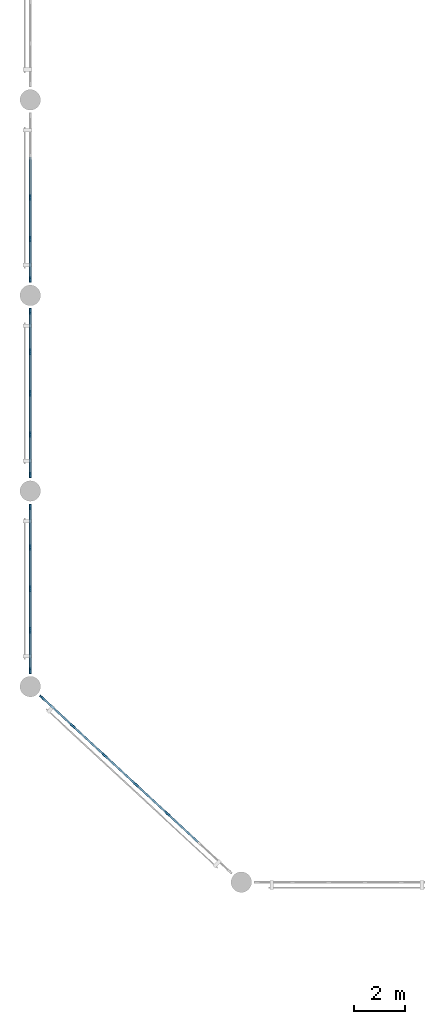
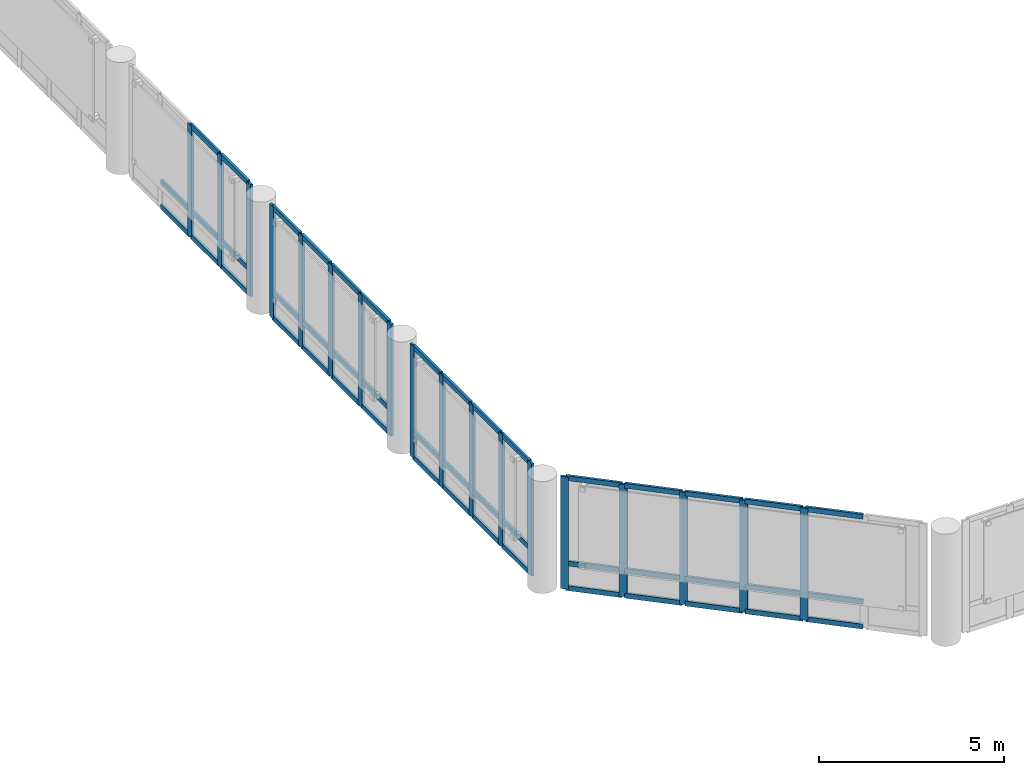
# One storey, part 5 of 49: 65 members, 4 elements without a shape of their own.
"""IFC4 building model written with IfcOpenShell, lengths in metres."""

from ifc_helpers import new_model, si_unit, direction, frame, origin, origin_2d, place, context, subcontext, project, spatial, rectangle, extrude, material, material_profile, profile_set, type_object, element, aggregate, save


model = new_model("IFC4")

# Units and contexts
model_context = context("Model", 3, precision=1e-05, world=origin(), true_north=direction((0.0, 1.0)))
body_context = subcontext(model_context, "Body", "Model", "MODEL_VIEW")
ifc_project = project(units=[si_unit("LENGTHUNIT", "METRE"), si_unit("AREAUNIT", "SQUARE_METRE"), si_unit("VOLUMEUNIT", "CUBIC_METRE"), si_unit("PLANEANGLEUNIT", "RADIAN"), si_unit("MASSUNIT", "GRAM", prefix="KILO")], contexts=[model_context])

# Site, building, storey
site_placement = place(None, origin())
site = spatial("IfcSite", under=ifc_project, at=site_placement, CompositionType="ELEMENT")
building_placement = place(site_placement, origin())
building = spatial("IfcBuilding", under=site, at=building_placement, Name="Qandaris Square Conservatory and Botanical Centre", CompositionType="ELEMENT")
storey_placement = place(building_placement, frame((0.0, 0.0, 10.199951171875)))
storey = spatial("IfcBuildingStorey", under=building, at=storey_placement, Name="L02", CompositionType="ELEMENT", Elevation=10.199951171875)

# Curtain wall, members
ifc_material = material(Name="Anodised Aluminium", Category="aluminium")
curtain_wall_type_1 = type_object("IfcCurtainWallType", Name="Unitised Curtain Wall CW-2-644x370", PredefinedType="USERDEFINED", material=ifc_material)
curtain_wall_1_placement = place(storey_placement, origin())
curtain_wall_1 = element("IfcCurtainWall", 1, at=curtain_wall_1_placement, inside=storey, type_object=curtain_wall_type_1, Name="Curtain Wall CW-CON-L02-7-5", ObjectType="GLAZED CURTAIN WALL", PredefinedType="USERDEFINED")
ifc_material_profile_1 = material_profile(ifc_material, rectangle(XDim=0.074951171875, YDim=0.219970703125, at=origin_2d()), Name="ALU-MUL 75x220")
ifc_profile_set_1 = profile_set([ifc_material_profile_1], Name="Anodised Aluminium")
member_type_1 = type_object("IfcMemberType", Name="Conservatory Heavy Mullion 75x220", PredefinedType="MULLION", material=ifc_profile_set_1)
member_1_placement = place(storey_placement, frame((16.199951171875, 73.60009765625, 0.0), z_axis=(0.0, 0.0, 1.0), x_axis=(1.0, 0.0, 0.0)))
member_1 = element("IfcMember", 2, at=member_1_placement, type_object=member_type_1, Name="CW-2-644x370 mullion 3", PredefinedType="MULLION", context=body_context, shape_type="SweptSolid", body=[
    extrude(rectangle(XDim=0.074951171875, YDim=0.219970703125, at=origin_2d()), origin(), (0.0, 0.0, 1.0), 3.699951171875),
])
member_2_placement = place(storey_placement, frame((16.199951171875, 71.989990234375, 0.0), z_axis=(0.0, 0.0, 1.0), x_axis=(1.0, 0.0, 0.0)))
member_2 = element("IfcMember", 3, at=member_2_placement, type_object=member_type_1, Name="CW-2-644x370 mullion 4", PredefinedType="MULLION", context=body_context, shape_type="SweptSolid", body=[
    extrude(rectangle(XDim=0.074951171875, YDim=0.219970703125, at=origin_2d()), origin(), (0.0, 0.0, 1.0), 3.699951171875),
])
member_3_placement = place(storey_placement, frame((16.199951171875, 70.41748046875, 0.0), z_axis=(0.0, 0.0, 1.0), x_axis=(1.0, 0.0, 0.0)))
member_3 = element("IfcMember", 4, at=member_3_placement, type_object=member_type_1, Name="CW-2-644x370 mullion 5", PredefinedType="MULLION", context=body_context, shape_type="SweptSolid", body=[
    extrude(rectangle(XDim=0.074951171875, YDim=0.219970703125, at=origin_2d()), origin(), (0.0, 0.0, 1.0), 3.699951171875),
])

curtain_wall_2_placement = place(storey_placement, origin())
curtain_wall_2 = element("IfcCurtainWall", 5, at=curtain_wall_2_placement, inside=storey, type_object=curtain_wall_type_1, Name="Curtain Wall CW-CON-L02-7-6", ObjectType="GLAZED CURTAIN WALL", PredefinedType="USERDEFINED")
member_4_placement = place(storey_placement, frame((16.199951171875, 69.1826171875, 0.0), z_axis=(0.0, 0.0, 1.0), x_axis=(1.0, 0.0, 0.0)))
member_4 = element("IfcMember", 6, at=member_4_placement, type_object=member_type_1, Name="CW-2-644x370 mullion 1", PredefinedType="MULLION", context=body_context, shape_type="SweptSolid", body=[
    extrude(rectangle(XDim=0.074951171875, YDim=0.219970703125, at=origin_2d()), origin(), (0.0, 0.0, 1.0), 3.699951171875),
])
member_5_placement = place(storey_placement, frame((16.199951171875, 67.610107421875, 0.0), z_axis=(0.0, 0.0, 1.0), x_axis=(1.0, 0.0, 0.0)))
member_5 = element("IfcMember", 7, at=member_5_placement, type_object=member_type_1, Name="CW-2-644x370 mullion 2", PredefinedType="MULLION", context=body_context, shape_type="SweptSolid", body=[
    extrude(rectangle(XDim=0.074951171875, YDim=0.219970703125, at=origin_2d()), origin(), (0.0, 0.0, 1.0), 3.699951171875),
])
member_6_placement = place(storey_placement, frame((16.199951171875, 66.0, 0.0), z_axis=(0.0, 0.0, 1.0), x_axis=(1.0, 0.0, 0.0)))
member_6 = element("IfcMember", 8, at=member_6_placement, type_object=member_type_1, Name="CW-2-644x370 mullion 3", PredefinedType="MULLION", context=body_context, shape_type="SweptSolid", body=[
    extrude(rectangle(XDim=0.074951171875, YDim=0.219970703125, at=origin_2d()), origin(), (0.0, 0.0, 1.0), 3.699951171875),
])
member_7_placement = place(storey_placement, frame((16.199951171875, 64.389892578125, 0.0), z_axis=(0.0, 0.0, 1.0), x_axis=(1.0, 0.0, 0.0)))
member_7 = element("IfcMember", 9, at=member_7_placement, type_object=member_type_1, Name="CW-2-644x370 mullion 4", PredefinedType="MULLION", context=body_context, shape_type="SweptSolid", body=[
    extrude(rectangle(XDim=0.074951171875, YDim=0.219970703125, at=origin_2d()), origin(), (0.0, 0.0, 1.0), 3.699951171875),
])
member_8_placement = place(storey_placement, frame((16.199951171875, 62.8173828125, 0.0), z_axis=(0.0, 0.0, 1.0), x_axis=(1.0, 0.0, 0.0)))
member_8 = element("IfcMember", 10, at=member_8_placement, type_object=member_type_1, Name="CW-2-644x370 mullion 5", PredefinedType="MULLION", context=body_context, shape_type="SweptSolid", body=[
    extrude(rectangle(XDim=0.074951171875, YDim=0.219970703125, at=origin_2d()), origin(), (0.0, 0.0, 1.0), 3.699951171875),
])

curtain_wall_3_placement = place(storey_placement, origin())
curtain_wall_3 = element("IfcCurtainWall", 11, at=curtain_wall_3_placement, inside=storey, type_object=curtain_wall_type_1, Name="Curtain Wall CW-CON-L02-7-7", ObjectType="GLAZED CURTAIN WALL", PredefinedType="USERDEFINED")
member_9_placement = place(storey_placement, frame((16.199951171875, 61.58251953125, 0.0), z_axis=(0.0, 0.0, 1.0), x_axis=(1.0, 0.0, 0.0)))
member_9 = element("IfcMember", 12, at=member_9_placement, type_object=member_type_1, Name="CW-2-644x370 mullion 1", PredefinedType="MULLION", context=body_context, shape_type="SweptSolid", body=[
    extrude(rectangle(XDim=0.074951171875, YDim=0.219970703125, at=origin_2d()), origin(), (0.0, 0.0, 1.0), 3.699951171875),
])
member_10_placement = place(storey_placement, frame((16.199951171875, 60.010009765625, 0.0), z_axis=(0.0, 0.0, 1.0), x_axis=(1.0, 0.0, 0.0)))
member_10 = element("IfcMember", 13, at=member_10_placement, type_object=member_type_1, Name="CW-2-644x370 mullion 2", PredefinedType="MULLION", context=body_context, shape_type="SweptSolid", body=[
    extrude(rectangle(XDim=0.074951171875, YDim=0.219970703125, at=origin_2d()), origin(), (0.0, 0.0, 1.0), 3.699951171875),
])
member_11_placement = place(storey_placement, frame((16.199951171875, 58.39990234375, 0.0), z_axis=(0.0, 0.0, 1.0), x_axis=(1.0, 0.0, 0.0)))
member_11 = element("IfcMember", 14, at=member_11_placement, type_object=member_type_1, Name="CW-2-644x370 mullion 3", PredefinedType="MULLION", context=body_context, shape_type="SweptSolid", body=[
    extrude(rectangle(XDim=0.074951171875, YDim=0.219970703125, at=origin_2d()), origin(), (0.0, 0.0, 1.0), 3.699951171875),
])
member_12_placement = place(storey_placement, frame((16.199951171875, 56.7900390625, 0.0), z_axis=(0.0, 0.0, 1.0), x_axis=(1.0, 0.0, 0.0)))
member_12 = element("IfcMember", 15, at=member_12_placement, type_object=member_type_1, Name="CW-2-644x370 mullion 4", PredefinedType="MULLION", context=body_context, shape_type="SweptSolid", body=[
    extrude(rectangle(XDim=0.074951171875, YDim=0.219970703125, at=origin_2d()), origin(), (0.0, 0.0, 1.0), 3.699951171875),
])
member_13_placement = place(storey_placement, frame((16.199951171875, 55.217529296875, 0.0), z_axis=(0.0, 0.0, 1.0), x_axis=(1.0, 0.0, 0.0)))
member_13 = element("IfcMember", 16, at=member_13_placement, type_object=member_type_1, Name="CW-2-644x370 mullion 5", PredefinedType="MULLION", context=body_context, shape_type="SweptSolid", body=[
    extrude(rectangle(XDim=0.074951171875, YDim=0.219970703125, at=origin_2d()), origin(), (0.0, 0.0, 1.0), 3.699951171875),
])

curtain_wall_type_2 = type_object("IfcCurtainWallType", Name="Unitised Curtain Wall CW-2-1002x370", PredefinedType="USERDEFINED", material=ifc_material)
curtain_wall_4_placement = place(storey_placement, origin())
curtain_wall_4 = element("IfcCurtainWall", 17, at=curtain_wall_4_placement, inside=storey, type_object=curtain_wall_type_2, Name="Curtain Wall CW-CON-L02-8-1", ObjectType="GLAZED CURTAIN WALL", PredefinedType="USERDEFINED")
member_14_placement = place(storey_placement, frame((16.65283203125, 54.18017578125, 0.0), z_axis=(0.0, 0.0, 1.0), x_axis=(0.679761784592, 0.733432966404, 0.0)))
member_14 = element("IfcMember", 18, at=member_14_placement, type_object=member_type_1, Name="CW-2-1002x370 mullion 1", PredefinedType="MULLION", context=body_context, shape_type="SweptSolid", body=[
    extrude(rectangle(XDim=0.074951171875, YDim=0.219970703125, at=origin_2d()), origin(), (0.0, 0.0, 1.0), 3.699951171875),
])
member_15_placement = place(storey_placement, frame((17.850341796875, 53.070556640625, 0.0), z_axis=(0.0, 0.0, 1.0), x_axis=(0.679761784592, 0.733432966404, 0.0)))
member_15 = element("IfcMember", 19, at=member_15_placement, type_object=member_type_1, Name="CW-2-1002x370 mullion 2", PredefinedType="MULLION", context=body_context, shape_type="SweptSolid", body=[
    extrude(rectangle(XDim=0.074951171875, YDim=0.219970703125, at=origin_2d()), origin(), (0.0, 0.0, 1.0), 3.699951171875),
])
member_16_placement = place(storey_placement, frame((19.0751953125, 51.935302734375, 0.0), z_axis=(0.0, 0.0, 1.0), x_axis=(0.679761784592, 0.733432966404, 0.0)))
member_16 = element("IfcMember", 20, at=member_16_placement, type_object=member_type_1, Name="CW-2-1002x370 mullion 3", PredefinedType="MULLION", context=body_context, shape_type="SweptSolid", body=[
    extrude(rectangle(XDim=0.074951171875, YDim=0.219970703125, at=origin_2d()), origin(), (0.0, 0.0, 1.0), 3.699951171875),
])
member_17_placement = place(storey_placement, frame((20.300048828125, 50.800048828125, 0.0), z_axis=(0.0, 0.0, 1.0), x_axis=(0.679761784592, 0.733432966404, 0.0)))
member_17 = element("IfcMember", 21, at=member_17_placement, type_object=member_type_1, Name="CW-2-1002x370 mullion 4", PredefinedType="MULLION", context=body_context, shape_type="SweptSolid", body=[
    extrude(rectangle(XDim=0.074951171875, YDim=0.219970703125, at=origin_2d()), origin(), (0.0, 0.0, 1.0), 3.699951171875),
])
member_18_placement = place(storey_placement, frame((21.52490234375, 49.664794921875, 0.0), z_axis=(0.0, 0.0, 1.0), x_axis=(0.679761784592, 0.733432966404, 0.0)))
member_18 = element("IfcMember", 22, at=member_18_placement, type_object=member_type_1, Name="CW-2-1002x370 mullion 5", PredefinedType="MULLION", context=body_context, shape_type="SweptSolid", body=[
    extrude(rectangle(XDim=0.074951171875, YDim=0.219970703125, at=origin_2d()), origin(), (0.0, 0.0, 1.0), 3.699951171875),
])

# Member
ifc_material_profile_2 = material_profile(ifc_material, rectangle(XDim=0.074951171875, YDim=0.159912109375, at=origin_2d()), Name="ALU-TRN 75x160")
ifc_profile_set_2 = profile_set([ifc_material_profile_2], Name="Anodised Aluminium")
member_type_2 = type_object("IfcMemberType", Name="Conservatory Heavy Transom 75x160", PredefinedType="USERDEFINED", material=ifc_profile_set_2)
member_19_placement = place(storey_placement, frame((16.199951171875, 75.172607421875, 0.03759765625), z_axis=(0.0, -1.0, 0.0), x_axis=(1.0, 0.0, 0.0)))
member_19 = element("IfcMember", 23, at=member_19_placement, type_object=member_type_2, Name="CW-2-644x370 transom 2.1", ObjectType="TRANSOM", PredefinedType="USERDEFINED", context=body_context, shape_type="SweptSolid", body=[
    extrude(rectangle(XDim=0.074951171875, YDim=0.159912109375, at=origin_2d()), origin(), (0.0, 0.0, 1.0), 1.53515625),
])

member_20_placement = place(storey_placement, frame((16.199951171875, 75.172607421875, 0.85009765625), z_axis=(0.0, -1.0, 0.0), x_axis=(1.0, 0.0, 0.0)))
member_20 = element("IfcMember", 24, at=member_20_placement, type_object=member_type_2, Name="CW-2-644x370 transom 2.2", ObjectType="TRANSOM", PredefinedType="USERDEFINED", context=body_context, shape_type="SweptSolid", body=[
    extrude(rectangle(XDim=0.074951171875, YDim=0.159912109375, at=origin_2d()), origin(), (0.0, 0.0, 1.0), 1.53515625),
])

member_21_placement = place(storey_placement, frame((16.199951171875, 73.5625, 0.03759765625), z_axis=(0.0, -1.0, 0.0), x_axis=(1.0, 0.0, 0.0)))
member_21 = element("IfcMember", 25, at=member_21_placement, type_object=member_type_2, Name="CW-2-644x370 transom 3.1", ObjectType="TRANSOM", PredefinedType="USERDEFINED", context=body_context, shape_type="SweptSolid", body=[
    extrude(rectangle(XDim=0.074951171875, YDim=0.159912109375, at=origin_2d()), origin(), (0.0, 0.0, 1.0), 1.534912109375),
])

member_22_placement = place(storey_placement, frame((16.199951171875, 73.5625, 0.85009765625), z_axis=(0.0, -1.0, 0.0), x_axis=(1.0, 0.0, 0.0)))
member_22 = element("IfcMember", 26, at=member_22_placement, type_object=member_type_2, Name="CW-2-644x370 transom 3.2", ObjectType="TRANSOM", PredefinedType="USERDEFINED", context=body_context, shape_type="SweptSolid", body=[
    extrude(rectangle(XDim=0.074951171875, YDim=0.159912109375, at=origin_2d()), origin(), (0.0, 0.0, 1.0), 1.534912109375),
])

member_23_placement = place(storey_placement, frame((16.199951171875, 73.5625, 3.66259765625), z_axis=(0.0, -1.0, 0.0), x_axis=(1.0, 0.0, 0.0)))
member_23 = element("IfcMember", 27, at=member_23_placement, type_object=member_type_2, Name="CW-2-644x370 transom 3.3", ObjectType="TRANSOM", PredefinedType="USERDEFINED", context=body_context, shape_type="SweptSolid", body=[
    extrude(rectangle(XDim=0.074951171875, YDim=0.159912109375, at=origin_2d()), origin(), (0.0, 0.0, 1.0), 1.534912109375),
])

member_24_placement = place(storey_placement, frame((16.199951171875, 71.952392578125, 0.03759765625), z_axis=(0.0, -1.0, 0.0), x_axis=(1.0, 0.0, 0.0)))
member_24 = element("IfcMember", 28, at=member_24_placement, type_object=member_type_2, Name="CW-2-644x370 transom 4.1", ObjectType="TRANSOM", PredefinedType="USERDEFINED", context=body_context, shape_type="SweptSolid", body=[
    extrude(rectangle(XDim=0.074951171875, YDim=0.159912109375, at=origin_2d()), origin(), (0.0, 0.0, 1.0), 1.497314453125),
])

member_25_placement = place(storey_placement, frame((16.199951171875, 71.952392578125, 0.85009765625), z_axis=(0.0, -1.0, 0.0), x_axis=(1.0, 0.0, 0.0)))
member_25 = element("IfcMember", 29, at=member_25_placement, type_object=member_type_2, Name="CW-2-644x370 transom 4.2", ObjectType="TRANSOM", PredefinedType="USERDEFINED", context=body_context, shape_type="SweptSolid", body=[
    extrude(rectangle(XDim=0.074951171875, YDim=0.159912109375, at=origin_2d()), origin(), (0.0, 0.0, 1.0), 1.497314453125),
])

member_26_placement = place(storey_placement, frame((16.199951171875, 71.952392578125, 3.66259765625), z_axis=(0.0, -1.0, 0.0), x_axis=(1.0, 0.0, 0.0)))
member_26 = element("IfcMember", 30, at=member_26_placement, type_object=member_type_2, Name="CW-2-644x370 transom 4.3", ObjectType="TRANSOM", PredefinedType="USERDEFINED", context=body_context, shape_type="SweptSolid", body=[
    extrude(rectangle(XDim=0.074951171875, YDim=0.159912109375, at=origin_2d()), origin(), (0.0, 0.0, 1.0), 1.497314453125),
])

aggregate(curtain_wall_1, [member_1, member_2, member_3, member_19, member_20, member_21, member_22, member_23, member_24, member_25, member_26])

member_27_placement = place(storey_placement, frame((16.199951171875, 69.14501953125, 0.03759765625), z_axis=(0.0, -1.0, 0.0), x_axis=(1.0, 0.0, 0.0)))
member_27 = element("IfcMember", 31, at=member_27_placement, type_object=member_type_2, Name="CW-2-644x370 transom 1.1", ObjectType="TRANSOM", PredefinedType="USERDEFINED", context=body_context, shape_type="SweptSolid", body=[
    extrude(rectangle(XDim=0.074951171875, YDim=0.159912109375, at=origin_2d()), origin(), (0.0, 0.0, 1.0), 1.49755859375),
])

member_28_placement = place(storey_placement, frame((16.199951171875, 69.14501953125, 0.85009765625), z_axis=(0.0, -1.0, 0.0), x_axis=(1.0, 0.0, 0.0)))
member_28 = element("IfcMember", 32, at=member_28_placement, type_object=member_type_2, Name="CW-2-644x370 transom 1.2", ObjectType="TRANSOM", PredefinedType="USERDEFINED", context=body_context, shape_type="SweptSolid", body=[
    extrude(rectangle(XDim=0.074951171875, YDim=0.159912109375, at=origin_2d()), origin(), (0.0, 0.0, 1.0), 1.49755859375),
])

member_29_placement = place(storey_placement, frame((16.199951171875, 69.14501953125, 3.66259765625), z_axis=(0.0, -1.0, 0.0), x_axis=(1.0, 0.0, 0.0)))
member_29 = element("IfcMember", 33, at=member_29_placement, type_object=member_type_2, Name="CW-2-644x370 transom 1.3", ObjectType="TRANSOM", PredefinedType="USERDEFINED", context=body_context, shape_type="SweptSolid", body=[
    extrude(rectangle(XDim=0.074951171875, YDim=0.159912109375, at=origin_2d()), origin(), (0.0, 0.0, 1.0), 1.49755859375),
])

member_30_placement = place(storey_placement, frame((16.199951171875, 67.572509765625, 0.03759765625), z_axis=(0.0, -1.0, 0.0), x_axis=(1.0, 0.0, 0.0)))
member_30 = element("IfcMember", 34, at=member_30_placement, type_object=member_type_2, Name="CW-2-644x370 transom 2.1", ObjectType="TRANSOM", PredefinedType="USERDEFINED", context=body_context, shape_type="SweptSolid", body=[
    extrude(rectangle(XDim=0.074951171875, YDim=0.159912109375, at=origin_2d()), origin(), (0.0, 0.0, 1.0), 1.534912109375),
])

member_31_placement = place(storey_placement, frame((16.199951171875, 67.572509765625, 0.85009765625), z_axis=(0.0, -1.0, 0.0), x_axis=(1.0, 0.0, 0.0)))
member_31 = element("IfcMember", 35, at=member_31_placement, type_object=member_type_2, Name="CW-2-644x370 transom 2.2", ObjectType="TRANSOM", PredefinedType="USERDEFINED", context=body_context, shape_type="SweptSolid", body=[
    extrude(rectangle(XDim=0.074951171875, YDim=0.159912109375, at=origin_2d()), origin(), (0.0, 0.0, 1.0), 1.534912109375),
])

member_32_placement = place(storey_placement, frame((16.199951171875, 67.572509765625, 3.66259765625), z_axis=(0.0, -1.0, 0.0), x_axis=(1.0, 0.0, 0.0)))
member_32 = element("IfcMember", 36, at=member_32_placement, type_object=member_type_2, Name="CW-2-644x370 transom 2.3", ObjectType="TRANSOM", PredefinedType="USERDEFINED", context=body_context, shape_type="SweptSolid", body=[
    extrude(rectangle(XDim=0.074951171875, YDim=0.159912109375, at=origin_2d()), origin(), (0.0, 0.0, 1.0), 1.534912109375),
])

member_33_placement = place(storey_placement, frame((16.199951171875, 65.96240234375, 0.03759765625), z_axis=(0.0, -1.0, 0.0), x_axis=(1.0, 0.0, 0.0)))
member_33 = element("IfcMember", 37, at=member_33_placement, type_object=member_type_2, Name="CW-2-644x370 transom 3.1", ObjectType="TRANSOM", PredefinedType="USERDEFINED", context=body_context, shape_type="SweptSolid", body=[
    extrude(rectangle(XDim=0.074951171875, YDim=0.159912109375, at=origin_2d()), origin(), (0.0, 0.0, 1.0), 1.534912109375),
])

member_34_placement = place(storey_placement, frame((16.199951171875, 65.96240234375, 0.85009765625), z_axis=(0.0, -1.0, 0.0), x_axis=(1.0, 0.0, 0.0)))
member_34 = element("IfcMember", 38, at=member_34_placement, type_object=member_type_2, Name="CW-2-644x370 transom 3.2", ObjectType="TRANSOM", PredefinedType="USERDEFINED", context=body_context, shape_type="SweptSolid", body=[
    extrude(rectangle(XDim=0.074951171875, YDim=0.159912109375, at=origin_2d()), origin(), (0.0, 0.0, 1.0), 1.534912109375),
])

member_35_placement = place(storey_placement, frame((16.199951171875, 65.96240234375, 3.66259765625), z_axis=(0.0, -1.0, 0.0), x_axis=(1.0, 0.0, 0.0)))
member_35 = element("IfcMember", 39, at=member_35_placement, type_object=member_type_2, Name="CW-2-644x370 transom 3.3", ObjectType="TRANSOM", PredefinedType="USERDEFINED", context=body_context, shape_type="SweptSolid", body=[
    extrude(rectangle(XDim=0.074951171875, YDim=0.159912109375, at=origin_2d()), origin(), (0.0, 0.0, 1.0), 1.534912109375),
])

member_36_placement = place(storey_placement, frame((16.199951171875, 64.3525390625, 0.03759765625), z_axis=(0.0, -1.0, 0.0), x_axis=(1.0, 0.0, 0.0)))
member_36 = element("IfcMember", 40, at=member_36_placement, type_object=member_type_2, Name="CW-2-644x370 transom 4.1", ObjectType="TRANSOM", PredefinedType="USERDEFINED", context=body_context, shape_type="SweptSolid", body=[
    extrude(rectangle(XDim=0.074951171875, YDim=0.159912109375, at=origin_2d()), origin(), (0.0, 0.0, 1.0), 1.49755859375),
])

member_37_placement = place(storey_placement, frame((16.199951171875, 64.3525390625, 0.85009765625), z_axis=(0.0, -1.0, 0.0), x_axis=(1.0, 0.0, 0.0)))
member_37 = element("IfcMember", 41, at=member_37_placement, type_object=member_type_2, Name="CW-2-644x370 transom 4.2", ObjectType="TRANSOM", PredefinedType="USERDEFINED", context=body_context, shape_type="SweptSolid", body=[
    extrude(rectangle(XDim=0.074951171875, YDim=0.159912109375, at=origin_2d()), origin(), (0.0, 0.0, 1.0), 1.49755859375),
])

member_38_placement = place(storey_placement, frame((16.199951171875, 64.3525390625, 3.66259765625), z_axis=(0.0, -1.0, 0.0), x_axis=(1.0, 0.0, 0.0)))
member_38 = element("IfcMember", 42, at=member_38_placement, type_object=member_type_2, Name="CW-2-644x370 transom 4.3", ObjectType="TRANSOM", PredefinedType="USERDEFINED", context=body_context, shape_type="SweptSolid", body=[
    extrude(rectangle(XDim=0.074951171875, YDim=0.159912109375, at=origin_2d()), origin(), (0.0, 0.0, 1.0), 1.49755859375),
])

aggregate(curtain_wall_2, [member_4, member_5, member_6, member_7, member_8, member_27, member_28, member_29, member_30, member_31, member_32, member_33, member_34, member_35, member_36, member_37, member_38])

member_39_placement = place(storey_placement, frame((16.199951171875, 61.544921875, 0.03759765625), z_axis=(0.0, -1.0, 0.0), x_axis=(1.0, 0.0, 0.0)))
member_39 = element("IfcMember", 43, at=member_39_placement, type_object=member_type_2, Name="CW-2-644x370 transom 1.1", ObjectType="TRANSOM", PredefinedType="USERDEFINED", context=body_context, shape_type="SweptSolid", body=[
    extrude(rectangle(XDim=0.074951171875, YDim=0.159912109375, at=origin_2d()), origin(), (0.0, 0.0, 1.0), 1.497314453125),
])

member_40_placement = place(storey_placement, frame((16.199951171875, 61.544921875, 0.85009765625), z_axis=(0.0, -1.0, 0.0), x_axis=(1.0, 0.0, 0.0)))
member_40 = element("IfcMember", 44, at=member_40_placement, type_object=member_type_2, Name="CW-2-644x370 transom 1.2", ObjectType="TRANSOM", PredefinedType="USERDEFINED", context=body_context, shape_type="SweptSolid", body=[
    extrude(rectangle(XDim=0.074951171875, YDim=0.159912109375, at=origin_2d()), origin(), (0.0, 0.0, 1.0), 1.497314453125),
])

member_41_placement = place(storey_placement, frame((16.199951171875, 61.544921875, 3.66259765625), z_axis=(0.0, -1.0, 0.0), x_axis=(1.0, 0.0, 0.0)))
member_41 = element("IfcMember", 45, at=member_41_placement, type_object=member_type_2, Name="CW-2-644x370 transom 1.3", ObjectType="TRANSOM", PredefinedType="USERDEFINED", context=body_context, shape_type="SweptSolid", body=[
    extrude(rectangle(XDim=0.074951171875, YDim=0.159912109375, at=origin_2d()), origin(), (0.0, 0.0, 1.0), 1.497314453125),
])

member_42_placement = place(storey_placement, frame((16.199951171875, 59.972412109375, 0.03759765625), z_axis=(0.0, -1.0, 0.0), x_axis=(1.0, 0.0, 0.0)))
member_42 = element("IfcMember", 46, at=member_42_placement, type_object=member_type_2, Name="CW-2-644x370 transom 2.1", ObjectType="TRANSOM", PredefinedType="USERDEFINED", context=body_context, shape_type="SweptSolid", body=[
    extrude(rectangle(XDim=0.074951171875, YDim=0.159912109375, at=origin_2d()), origin(), (0.0, 0.0, 1.0), 1.534912109375),
])

member_43_placement = place(storey_placement, frame((16.199951171875, 59.972412109375, 0.85009765625), z_axis=(0.0, -1.0, 0.0), x_axis=(1.0, 0.0, 0.0)))
member_43 = element("IfcMember", 47, at=member_43_placement, type_object=member_type_2, Name="CW-2-644x370 transom 2.2", ObjectType="TRANSOM", PredefinedType="USERDEFINED", context=body_context, shape_type="SweptSolid", body=[
    extrude(rectangle(XDim=0.074951171875, YDim=0.159912109375, at=origin_2d()), origin(), (0.0, 0.0, 1.0), 1.534912109375),
])

member_44_placement = place(storey_placement, frame((16.199951171875, 59.972412109375, 3.66259765625), z_axis=(0.0, -1.0, 0.0), x_axis=(1.0, 0.0, 0.0)))
member_44 = element("IfcMember", 48, at=member_44_placement, type_object=member_type_2, Name="CW-2-644x370 transom 2.3", ObjectType="TRANSOM", PredefinedType="USERDEFINED", context=body_context, shape_type="SweptSolid", body=[
    extrude(rectangle(XDim=0.074951171875, YDim=0.159912109375, at=origin_2d()), origin(), (0.0, 0.0, 1.0), 1.534912109375),
])

member_45_placement = place(storey_placement, frame((16.199951171875, 58.362548828125, 0.03759765625), z_axis=(0.0, -1.0, 0.0), x_axis=(1.0, 0.0, 0.0)))
member_45 = element("IfcMember", 49, at=member_45_placement, type_object=member_type_2, Name="CW-2-644x370 transom 3.1", ObjectType="TRANSOM", PredefinedType="USERDEFINED", context=body_context, shape_type="SweptSolid", body=[
    extrude(rectangle(XDim=0.074951171875, YDim=0.159912109375, at=origin_2d()), origin(), (0.0, 0.0, 1.0), 1.53515625),
])

member_46_placement = place(storey_placement, frame((16.199951171875, 58.362548828125, 0.85009765625), z_axis=(0.0, -1.0, 0.0), x_axis=(1.0, 0.0, 0.0)))
member_46 = element("IfcMember", 50, at=member_46_placement, type_object=member_type_2, Name="CW-2-644x370 transom 3.2", ObjectType="TRANSOM", PredefinedType="USERDEFINED", context=body_context, shape_type="SweptSolid", body=[
    extrude(rectangle(XDim=0.074951171875, YDim=0.159912109375, at=origin_2d()), origin(), (0.0, 0.0, 1.0), 1.53515625),
])

member_47_placement = place(storey_placement, frame((16.199951171875, 58.362548828125, 3.66259765625), z_axis=(0.0, -1.0, 0.0), x_axis=(1.0, 0.0, 0.0)))
member_47 = element("IfcMember", 51, at=member_47_placement, type_object=member_type_2, Name="CW-2-644x370 transom 3.3", ObjectType="TRANSOM", PredefinedType="USERDEFINED", context=body_context, shape_type="SweptSolid", body=[
    extrude(rectangle(XDim=0.074951171875, YDim=0.159912109375, at=origin_2d()), origin(), (0.0, 0.0, 1.0), 1.53515625),
])

member_48_placement = place(storey_placement, frame((16.199951171875, 56.75244140625, 0.03759765625), z_axis=(0.0, -1.0, 0.0), x_axis=(1.0, 0.0, 0.0)))
member_48 = element("IfcMember", 52, at=member_48_placement, type_object=member_type_2, Name="CW-2-644x370 transom 4.1", ObjectType="TRANSOM", PredefinedType="USERDEFINED", context=body_context, shape_type="SweptSolid", body=[
    extrude(rectangle(XDim=0.074951171875, YDim=0.159912109375, at=origin_2d()), origin(), (0.0, 0.0, 1.0), 1.49755859375),
])

member_49_placement = place(storey_placement, frame((16.199951171875, 56.75244140625, 0.85009765625), z_axis=(0.0, -1.0, 0.0), x_axis=(1.0, 0.0, 0.0)))
member_49 = element("IfcMember", 53, at=member_49_placement, type_object=member_type_2, Name="CW-2-644x370 transom 4.2", ObjectType="TRANSOM", PredefinedType="USERDEFINED", context=body_context, shape_type="SweptSolid", body=[
    extrude(rectangle(XDim=0.074951171875, YDim=0.159912109375, at=origin_2d()), origin(), (0.0, 0.0, 1.0), 1.49755859375),
])

member_50_placement = place(storey_placement, frame((16.199951171875, 56.75244140625, 3.66259765625), z_axis=(0.0, -1.0, 0.0), x_axis=(1.0, 0.0, 0.0)))
member_50 = element("IfcMember", 54, at=member_50_placement, type_object=member_type_2, Name="CW-2-644x370 transom 4.3", ObjectType="TRANSOM", PredefinedType="USERDEFINED", context=body_context, shape_type="SweptSolid", body=[
    extrude(rectangle(XDim=0.074951171875, YDim=0.159912109375, at=origin_2d()), origin(), (0.0, 0.0, 1.0), 1.49755859375),
])

aggregate(curtain_wall_3, [member_9, member_10, member_11, member_12, member_13, member_39, member_40, member_41, member_42, member_43, member_44, member_45, member_46, member_47, member_48, member_49, member_50])

member_51_placement = place(storey_placement, frame((16.680419921875, 54.15478515625, 0.03759765625), z_axis=(0.733401706001, -0.679795511632, 0.0), x_axis=(0.679795511632, 0.733401706001, 0.0)))
member_51 = element("IfcMember", 55, at=member_51_placement, type_object=member_type_2, Name="CW-2-1002x370 transom 1.1", ObjectType="TRANSOM", PredefinedType="USERDEFINED", context=body_context, shape_type="SweptSolid", body=[
    extrude(rectangle(XDim=0.074951171875, YDim=0.159912109375, at=origin_2d()), origin(), (0.0, 0.0, 1.0), 1.5576171875),
])

member_52_placement = place(storey_placement, frame((16.680419921875, 54.15478515625, 0.85009765625), z_axis=(0.733401706001, -0.679795511632, 0.0), x_axis=(0.679795511632, 0.733401706001, 0.0)))
member_52 = element("IfcMember", 56, at=member_52_placement, type_object=member_type_2, Name="CW-2-1002x370 transom 1.2", ObjectType="TRANSOM", PredefinedType="USERDEFINED", context=body_context, shape_type="SweptSolid", body=[
    extrude(rectangle(XDim=0.074951171875, YDim=0.159912109375, at=origin_2d()), origin(), (0.0, 0.0, 1.0), 1.5576171875),
])

member_53_placement = place(storey_placement, frame((16.680419921875, 54.15478515625, 3.66259765625), z_axis=(0.733401706001, -0.679795511632, 0.0), x_axis=(0.679795511632, 0.733401706001, 0.0)))
member_53 = element("IfcMember", 57, at=member_53_placement, type_object=member_type_2, Name="CW-2-1002x370 transom 1.3", ObjectType="TRANSOM", PredefinedType="USERDEFINED", context=body_context, shape_type="SweptSolid", body=[
    extrude(rectangle(XDim=0.074951171875, YDim=0.159912109375, at=origin_2d()), origin(), (0.0, 0.0, 1.0), 1.5576171875),
])

member_54_placement = place(storey_placement, frame((17.877685546875, 53.044921875, 0.03759765625), z_axis=(0.733458213943, -0.679734542597, 0.0), x_axis=(0.679734542597, 0.733458213943, 0.0)))
member_54 = element("IfcMember", 58, at=member_54_placement, type_object=member_type_2, Name="CW-2-1002x370 transom 2.1", ObjectType="TRANSOM", PredefinedType="USERDEFINED", context=body_context, shape_type="SweptSolid", body=[
    extrude(rectangle(XDim=0.074951171875, YDim=0.159912109375, at=origin_2d()), origin(), (0.0, 0.0, 1.0), 1.594970703125),
])

member_55_placement = place(storey_placement, frame((17.877685546875, 53.044921875, 0.85009765625), z_axis=(0.733458213943, -0.679734542597, 0.0), x_axis=(0.679734542597, 0.733458213943, 0.0)))
member_55 = element("IfcMember", 59, at=member_55_placement, type_object=member_type_2, Name="CW-2-1002x370 transom 2.2", ObjectType="TRANSOM", PredefinedType="USERDEFINED", context=body_context, shape_type="SweptSolid", body=[
    extrude(rectangle(XDim=0.074951171875, YDim=0.159912109375, at=origin_2d()), origin(), (0.0, 0.0, 1.0), 1.594970703125),
])

member_56_placement = place(storey_placement, frame((17.877685546875, 53.044921875, 3.66259765625), z_axis=(0.733458213943, -0.679734542597, 0.0), x_axis=(0.679734542597, 0.733458213943, 0.0)))
member_56 = element("IfcMember", 60, at=member_56_placement, type_object=member_type_2, Name="CW-2-1002x370 transom 2.3", ObjectType="TRANSOM", PredefinedType="USERDEFINED", context=body_context, shape_type="SweptSolid", body=[
    extrude(rectangle(XDim=0.074951171875, YDim=0.159912109375, at=origin_2d()), origin(), (0.0, 0.0, 1.0), 1.594970703125),
])

member_57_placement = place(storey_placement, frame((19.1025390625, 51.90966796875, 0.03759765625), z_axis=(0.733458213943, -0.679734542597, 0.0), x_axis=(0.679734542597, 0.733458213943, 0.0)))
member_57 = element("IfcMember", 61, at=member_57_placement, type_object=member_type_2, Name="CW-2-1002x370 transom 3.1", ObjectType="TRANSOM", PredefinedType="USERDEFINED", context=body_context, shape_type="SweptSolid", body=[
    extrude(rectangle(XDim=0.074951171875, YDim=0.159912109375, at=origin_2d()), origin(), (0.0, 0.0, 1.0), 1.594970703125),
])

member_58_placement = place(storey_placement, frame((19.1025390625, 51.90966796875, 0.85009765625), z_axis=(0.733458213943, -0.679734542597, 0.0), x_axis=(0.679734542597, 0.733458213943, 0.0)))
member_58 = element("IfcMember", 62, at=member_58_placement, type_object=member_type_2, Name="CW-2-1002x370 transom 3.2", ObjectType="TRANSOM", PredefinedType="USERDEFINED", context=body_context, shape_type="SweptSolid", body=[
    extrude(rectangle(XDim=0.074951171875, YDim=0.159912109375, at=origin_2d()), origin(), (0.0, 0.0, 1.0), 1.594970703125),
])

member_59_placement = place(storey_placement, frame((19.1025390625, 51.90966796875, 3.66259765625), z_axis=(0.733458213943, -0.679734542597, 0.0), x_axis=(0.679734542597, 0.733458213943, 0.0)))
member_59 = element("IfcMember", 63, at=member_59_placement, type_object=member_type_2, Name="CW-2-1002x370 transom 3.3", ObjectType="TRANSOM", PredefinedType="USERDEFINED", context=body_context, shape_type="SweptSolid", body=[
    extrude(rectangle(XDim=0.074951171875, YDim=0.159912109375, at=origin_2d()), origin(), (0.0, 0.0, 1.0), 1.594970703125),
])

member_60_placement = place(storey_placement, frame((20.327392578125, 50.7744140625, 0.03759765625), z_axis=(0.733458213943, -0.679734542597, 0.0), x_axis=(0.679734542597, 0.733458213943, 0.0)))
member_60 = element("IfcMember", 64, at=member_60_placement, type_object=member_type_2, Name="CW-2-1002x370 transom 4.1", ObjectType="TRANSOM", PredefinedType="USERDEFINED", context=body_context, shape_type="SweptSolid", body=[
    extrude(rectangle(XDim=0.074951171875, YDim=0.159912109375, at=origin_2d()), origin(), (0.0, 0.0, 1.0), 1.594970703125),
])

member_61_placement = place(storey_placement, frame((20.327392578125, 50.7744140625, 0.85009765625), z_axis=(0.733458213943, -0.679734542597, 0.0), x_axis=(0.679734542597, 0.733458213943, 0.0)))
member_61 = element("IfcMember", 65, at=member_61_placement, type_object=member_type_2, Name="CW-2-1002x370 transom 4.2", ObjectType="TRANSOM", PredefinedType="USERDEFINED", context=body_context, shape_type="SweptSolid", body=[
    extrude(rectangle(XDim=0.074951171875, YDim=0.159912109375, at=origin_2d()), origin(), (0.0, 0.0, 1.0), 1.594970703125),
])

member_62_placement = place(storey_placement, frame((20.327392578125, 50.7744140625, 3.66259765625), z_axis=(0.733458213943, -0.679734542597, 0.0), x_axis=(0.679734542597, 0.733458213943, 0.0)))
member_62 = element("IfcMember", 66, at=member_62_placement, type_object=member_type_2, Name="CW-2-1002x370 transom 4.3", ObjectType="TRANSOM", PredefinedType="USERDEFINED", context=body_context, shape_type="SweptSolid", body=[
    extrude(rectangle(XDim=0.074951171875, YDim=0.159912109375, at=origin_2d()), origin(), (0.0, 0.0, 1.0), 1.594970703125),
])

member_63_placement = place(storey_placement, frame((21.552490234375, 49.63916015625, 0.03759765625), z_axis=(0.733387482848, -0.679810856049, 0.0), x_axis=(0.679810856049, 0.733387482848, 0.0)))
member_63 = element("IfcMember", 67, at=member_63_placement, type_object=member_type_2, Name="CW-2-1002x370 transom 5.1", ObjectType="TRANSOM", PredefinedType="USERDEFINED", context=body_context, shape_type="SweptSolid", body=[
    extrude(rectangle(XDim=0.074951171875, YDim=0.159912109375, at=origin_2d()), origin(), (0.0, 0.0, 1.0), 1.594970703125),
])

member_64_placement = place(storey_placement, frame((21.552490234375, 49.63916015625, 0.85009765625), z_axis=(0.733387482848, -0.679810856049, 0.0), x_axis=(0.679810856049, 0.733387482848, 0.0)))
member_64 = element("IfcMember", 68, at=member_64_placement, type_object=member_type_2, Name="CW-2-1002x370 transom 5.2", ObjectType="TRANSOM", PredefinedType="USERDEFINED", context=body_context, shape_type="SweptSolid", body=[
    extrude(rectangle(XDim=0.074951171875, YDim=0.159912109375, at=origin_2d()), origin(), (0.0, 0.0, 1.0), 1.594970703125),
])

member_65_placement = place(storey_placement, frame((21.552490234375, 49.63916015625, 3.66259765625), z_axis=(0.733387482848, -0.679810856049, 0.0), x_axis=(0.679810856049, 0.733387482848, 0.0)))
member_65 = element("IfcMember", 69, at=member_65_placement, type_object=member_type_2, Name="CW-2-1002x370 transom 5.3", ObjectType="TRANSOM", PredefinedType="USERDEFINED", context=body_context, shape_type="SweptSolid", body=[
    extrude(rectangle(XDim=0.074951171875, YDim=0.159912109375, at=origin_2d()), origin(), (0.0, 0.0, 1.0), 1.594970703125),
])

aggregate(curtain_wall_4, [member_14, member_15, member_16, member_17, member_18, member_51, member_52, member_53, member_54, member_55, member_56, member_57, member_58, member_59, member_60, member_61, member_62, member_63, member_64, member_65])

save(model, "model.ifc")
